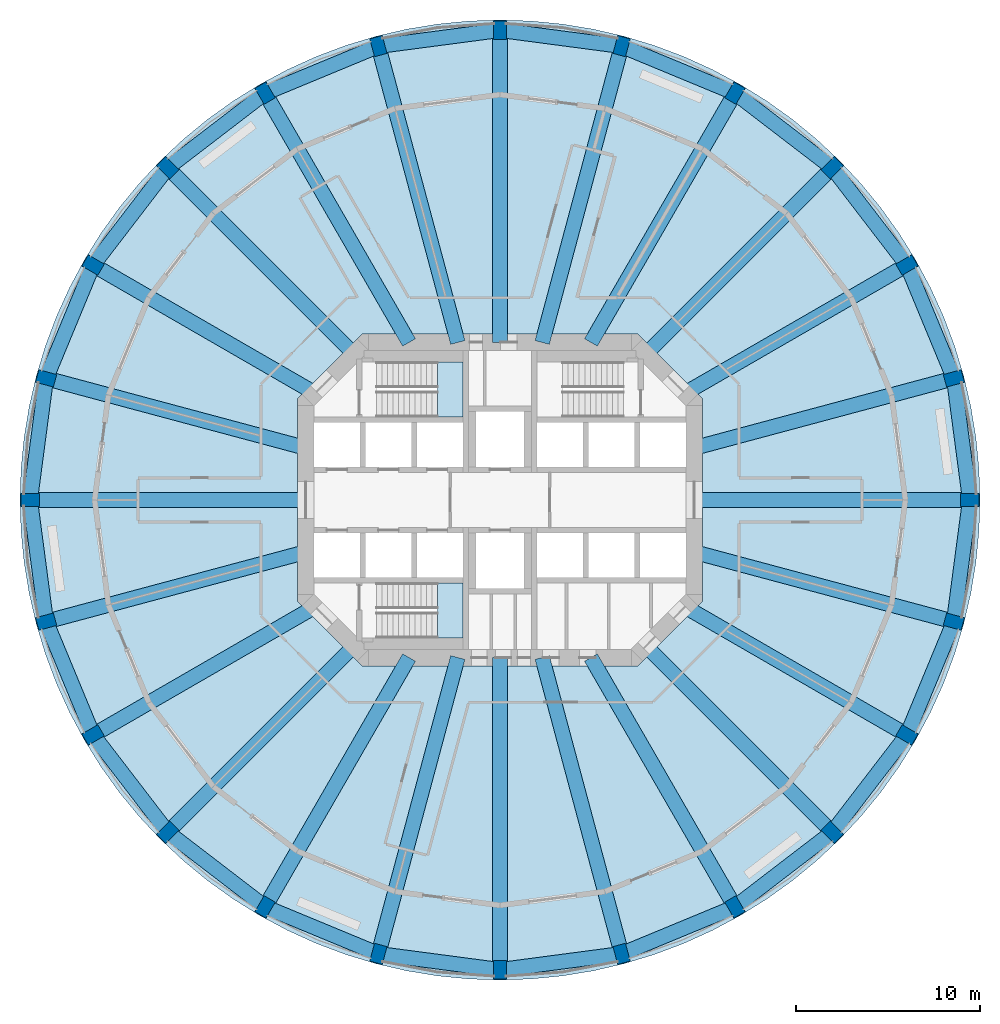
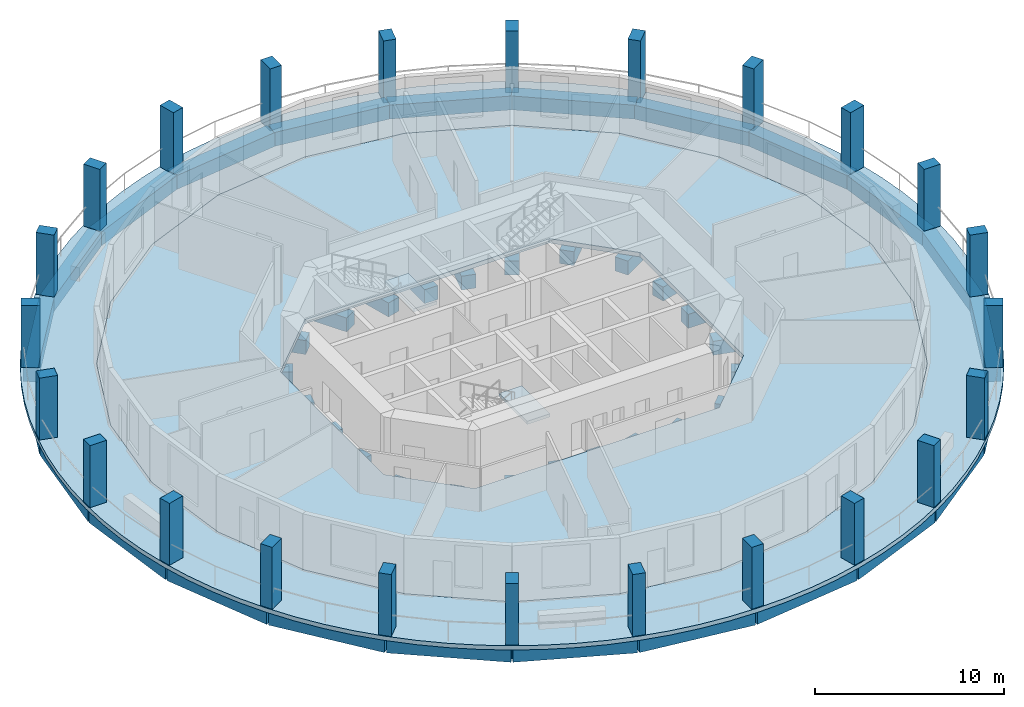
# One storey, part 1 of 9: 48 beams, 24 columns, 4 slabs, 2 elements without a shape of their own.
"""IFC4 building model written with IfcOpenShell, lengths in metres."""

from ifc_helpers import new_model, si_unit, direction, frame, origin, origin_2d, place, context, subcontext, project, spatial, polyline, rectangle, outline, extrude, material, layer, layer_set, material_profile, profile_set, type_object, element, aggregate, save


model = new_model("IFC4")

# Units and contexts
model_context = context("Model", 3, precision=1e-05, world=origin(), true_north=direction((0.0, 1.0)))
body_context = subcontext(model_context, "Body", "Model", "MODEL_VIEW")
ifc_project = project(units=[si_unit("LENGTHUNIT", "METRE"), si_unit("AREAUNIT", "SQUARE_METRE"), si_unit("VOLUMEUNIT", "CUBIC_METRE"), si_unit("PLANEANGLEUNIT", "RADIAN"), si_unit("MASSUNIT", "GRAM", prefix="KILO")], contexts=[model_context])

# Site, building, storey
site_placement = place(None, origin())
site = spatial("IfcSite", under=ifc_project, at=site_placement, CompositionType="ELEMENT")
building_placement = place(site_placement, origin())
building = spatial("IfcBuilding", under=site, at=building_placement, Name="Torre Triforio", CompositionType="ELEMENT")
storey_placement = place(building_placement, frame((0.0, 0.0, 102.60009765625)))
storey = spatial("IfcBuildingStorey", under=building, at=storey_placement, Name="L22", CompositionType="ELEMENT", Elevation=102.60009765625)

# Columns
ifc_material_1 = material(Name="Concrete C60", Category="concrete")
ifc_material_profile_1 = material_profile(ifc_material_1, rectangle(XDim=0.699951171875, YDim=1.0, at=origin_2d()), Name="RC 700x1000")
ifc_profile_set_1 = profile_set([ifc_material_profile_1], Name="Concrete C60")
column_type = type_object("IfcColumnType", Name="Pier RC 700x1000 C60", PredefinedType="COLUMN", material=ifc_profile_set_1)
for number, where, z_axis, x_axis, name in (
    (1, (25.5, 0.0, 0.0), (0.0, 0.0, 1.0), (0.0, 1.0, 0.0), "COL.R.L22.00"),
    (2, (24.631103515625, 6.599853515625, 0.0), (0.0, 0.0, 1.0), (-0.258819045103, 0.965925826289, 0.0), "COL.R.L22.01"),
    (3, (22.083740234375, 12.75, 0.0), (0.0, 0.0, 1.0), (-0.5, 0.866025403784, 0.0), "COL.R.L22.02"),
    (4, (18.03125, 18.03125, 0.0), (0.0, 0.0, 1.0), (-0.707106781187, 0.707106781187, 0.0), "COL.R.L22.03"),
    (5, (12.75, 22.083740234375, 0.0), (0.0, 0.0, 1.0), (-0.866025403784, 0.5, 0.0), "COL.R.L22.04"),
    (6, (6.599853515625, 24.631103515625, 0.0), (0.0, 0.0, 1.0), (-0.965925826289, 0.258819045103, 0.0), "COL.R.L22.05"),
    (7, (0.0, 25.5, 0.0), (0.0, 0.0, 1.0), (-1.0, 0.0, 0.0), "COL.R.L22.06"),
    (8, (-6.599853515625, 24.631103515625, 0.0), (0.0, 0.0, 1.0), (-0.965925826289, -0.258819045103, 0.0), "COL.R.L22.07"),
    (9, (-12.75, 22.083740234375, 0.0), (0.0, 0.0, 1.0), (-0.866025403784, -0.5, 0.0), "COL.R.L22.08"),
    (10, (-18.03125, 18.03125, 0.0), (0.0, 0.0, 1.0), (-0.707106781187, -0.707106781187, 0.0), "COL.R.L22.09"),
    (11, (-22.083740234375, 12.75, 0.0), (0.0, 0.0, 1.0), (-0.5, -0.866025403784, 0.0), "COL.R.L22.10"),
    (12, (-24.631103515625, 6.599853515625, 0.0), (0.0, 0.0, 1.0), (-0.258819045103, -0.965925826289, 0.0), "COL.R.L22.11"),
    (13, (-25.5, 0.0, 0.0), (0.0, 0.0, 1.0), (0.0, -1.0, 0.0), "COL.R.L22.12"),
    (14, (-24.631103515625, -6.599853515625, 0.0), (0.0, 0.0, 1.0), (0.258819045103, -0.965925826289, 0.0), "COL.R.L22.13"),
    (15, (-22.083740234375, -12.75, 0.0), (0.0, 0.0, 1.0), (0.5, -0.866025403784, 0.0), "COL.R.L22.14"),
    (16, (-18.03125, -18.03125, 0.0), (0.0, 0.0, 1.0), (0.707106781187, -0.707106781187, 0.0), "COL.R.L22.15"),
    (17, (-12.75, -22.083740234375, 0.0), (0.0, 0.0, 1.0), (0.866025403784, -0.5, 0.0), "COL.R.L22.16"),
    (18, (-6.599853515625, -24.631103515625, 0.0), (0.0, 0.0, 1.0), (0.965925826289, -0.258819045103, 0.0), "COL.R.L22.17"),
    (19, (0.0, -25.5, 0.0), (0.0, 0.0, 1.0), (1.0, 0.0, 0.0), "COL.R.L22.18"),
    (20, (6.599853515625, -24.631103515625, 0.0), (0.0, 0.0, 1.0), (0.965925826289, 0.258819045103, 0.0), "COL.R.L22.19"),
    (21, (12.75, -22.083740234375, 0.0), (0.0, 0.0, 1.0), (0.866025403784, 0.5, 0.0), "COL.R.L22.20"),
    (22, (18.03125, -18.03125, 0.0), (0.0, 0.0, 1.0), (0.707106781187, 0.707106781187, 0.0), "COL.R.L22.21"),
    (23, (22.083740234375, -12.75, 0.0), (0.0, 0.0, 1.0), (0.5, 0.866025403784, 0.0), "COL.R.L22.22"),
    (24, (24.631103515625, -6.599853515625, 0.0), (0.0, 0.0, 1.0), (0.258819045103, 0.965925826289, 0.0), "COL.R.L22.23"),
):
    element("IfcColumn", number, at=place(storey_placement, frame(where, z_axis=z_axis, x_axis=x_axis)), inside=storey, type_object=column_type, Name=name, PredefinedType="COLUMN", context=body_context, shape_type="SweptSolid", body=[
        extrude(rectangle(XDim=0.699951171875, YDim=1.0, at=origin_2d()), origin(), (0.0, 0.0, 1.0), 4.0),
    ])

# Beams
ifc_material_2 = material(Name="Concrete C50", Category="concrete")
ifc_material_profile_2 = material_profile(ifc_material_2, rectangle(XDim=0.800048828125, YDim=0.89990234375, at=origin_2d()), Name="RC 800x900")
ifc_profile_set_2 = profile_set([ifc_material_profile_2], Name="Concrete C50")
beam_type_1 = type_object("IfcBeamType", Name="Radial beam RC 800x900 C50", PredefinedType="BEAM", material=ifc_profile_set_2)
beam_1_placement = place(storey_placement, frame((10.550048828125, 0.0, -0.72998046875), z_axis=(1.0, 0.0, 0.0), x_axis=(0.0, 1.0, 0.0)))
element("IfcBeam", 25, at=beam_1_placement, inside=storey, type_object=beam_type_1, Name="BM.R.L22.00", PredefinedType="BEAM", context=body_context, shape_type="SweptSolid", body=[
    extrude(rectangle(XDim=0.800048828125, YDim=0.89990234375, at=origin_2d()), origin(), (0.0, 0.0, 1.0), 14.949951171875),
])
beam_2_placement = place(storey_placement, frame((10.550048828125, 2.826904296875, -0.72998046875), z_axis=(0.965926821176, 0.258815332104, 0.0), x_axis=(-0.258815332104, 0.965926821176, 0.0)))
element("IfcBeam", 26, at=beam_2_placement, inside=storey, type_object=beam_type_1, Name="BM.R.L22.01", PredefinedType="BEAM", context=body_context, shape_type="SweptSolid", body=[
    extrude(rectangle(XDim=0.800048828125, YDim=0.89990234375, at=origin_2d()), origin(), (0.0, 0.0, 1.0), 14.577880859375),
])
beam_3_placement = place(storey_placement, frame((10.039794921875, 5.796630859375, -0.72998046875), z_axis=(0.866031815519, 0.499988894385, 0.0), x_axis=(-0.499988894385, 0.866031815519, 0.0)))
element("IfcBeam", 27, at=beam_3_placement, inside=storey, type_object=beam_type_1, Name="BM.R.L22.02", PredefinedType="BEAM", context=body_context, shape_type="SweptSolid", body=[
    extrude(rectangle(XDim=0.800048828125, YDim=0.89990234375, at=origin_2d()), origin(), (0.0, 0.0, 1.0), 13.906982421875),
])
beam_4_placement = place(storey_placement, frame((7.918212890625, 7.918212890625, -0.72998046875), z_axis=(0.707106781187, 0.707106781187, 0.0), x_axis=(-0.707106781187, 0.707106781187, 0.0)))
element("IfcBeam", 28, at=beam_4_placement, inside=storey, type_object=beam_type_1, Name="BM.R.L22.03", PredefinedType="BEAM", context=body_context, shape_type="SweptSolid", body=[
    extrude(rectangle(XDim=0.800048828125, YDim=0.89990234375, at=origin_2d()), origin(), (0.0, 0.0, 1.0), 14.302001953125),
])
beam_5_placement = place(storey_placement, frame((4.936279296875, 8.550048828125, -0.72998046875), z_axis=(0.500001935381, 0.866024286389, 0.0), x_axis=(-0.866024286389, 0.500001935381, 0.0)))
element("IfcBeam", 29, at=beam_5_placement, inside=storey, type_object=beam_type_1, Name="BM.R.L22.04", PredefinedType="BEAM", context=body_context, shape_type="SweptSolid", body=[
    extrude(rectangle(XDim=0.800048828125, YDim=0.89990234375, at=origin_2d()), origin(), (0.0, 0.0, 1.0), 15.62744140625),
])
beam_6_placement = place(storey_placement, frame((2.291015625, 8.550048828125, -0.72998046875), z_axis=(0.25881524955, 0.965926843296, 0.0), x_axis=(-0.965926843296, 0.25881524955, 0.0)))
element("IfcBeam", 30, at=beam_6_placement, inside=storey, type_object=beam_type_1, Name="BM.R.L22.05", PredefinedType="BEAM", context=body_context, shape_type="SweptSolid", body=[
    extrude(rectangle(XDim=0.800048828125, YDim=0.89990234375, at=origin_2d()), origin(), (0.0, 0.0, 1.0), 16.648193359375),
])
beam_7_placement = place(storey_placement, frame((0.0, 8.550048828125, -0.72998046875), z_axis=(0.0, 1.0, 0.0), x_axis=(-1.0, 0.0, 0.0)))
element("IfcBeam", 31, at=beam_7_placement, inside=storey, type_object=beam_type_1, Name="BM.R.L22.06", PredefinedType="BEAM", context=body_context, shape_type="SweptSolid", body=[
    extrude(rectangle(XDim=0.800048828125, YDim=0.89990234375, at=origin_2d()), origin(), (0.0, 0.0, 1.0), 16.949951171875),
])
beam_8_placement = place(storey_placement, frame((-2.291015625, 8.550048828125, -0.72998046875), z_axis=(-0.25881524955, 0.965926843296, 0.0), x_axis=(-0.965926843296, -0.25881524955, 0.0)))
element("IfcBeam", 32, at=beam_8_placement, inside=storey, type_object=beam_type_1, Name="BM.R.L22.07", PredefinedType="BEAM", context=body_context, shape_type="SweptSolid", body=[
    extrude(rectangle(XDim=0.800048828125, YDim=0.89990234375, at=origin_2d()), origin(), (0.0, 0.0, 1.0), 16.648193359375),
])
beam_9_placement = place(storey_placement, frame((-4.936279296875, 8.550048828125, -0.72998046875), z_axis=(-0.500001935381, 0.866024286389, 0.0), x_axis=(-0.866024286389, -0.500001935381, 0.0)))
element("IfcBeam", 33, at=beam_9_placement, inside=storey, type_object=beam_type_1, Name="BM.R.L22.08", PredefinedType="BEAM", context=body_context, shape_type="SweptSolid", body=[
    extrude(rectangle(XDim=0.800048828125, YDim=0.89990234375, at=origin_2d()), origin(), (0.0, 0.0, 1.0), 15.62744140625),
])
beam_10_placement = place(storey_placement, frame((-7.918212890625, 7.918212890625, -0.72998046875), z_axis=(-0.707106781187, 0.707106781187, 0.0), x_axis=(-0.707106781187, -0.707106781187, 0.0)))
element("IfcBeam", 34, at=beam_10_placement, inside=storey, type_object=beam_type_1, Name="BM.R.L22.09", PredefinedType="BEAM", context=body_context, shape_type="SweptSolid", body=[
    extrude(rectangle(XDim=0.800048828125, YDim=0.89990234375, at=origin_2d()), origin(), (0.0, 0.0, 1.0), 14.302001953125),
])
beam_11_placement = place(storey_placement, frame((-10.039794921875, 5.796630859375, -0.72998046875), z_axis=(-0.866031815519, 0.499988894385, 0.0), x_axis=(-0.499988894385, -0.866031815519, 0.0)))
element("IfcBeam", 35, at=beam_11_placement, inside=storey, type_object=beam_type_1, Name="BM.R.L22.10", PredefinedType="BEAM", context=body_context, shape_type="SweptSolid", body=[
    extrude(rectangle(XDim=0.800048828125, YDim=0.89990234375, at=origin_2d()), origin(), (0.0, 0.0, 1.0), 13.906982421875),
])
beam_12_placement = place(storey_placement, frame((-10.550048828125, 2.826904296875, -0.72998046875), z_axis=(-0.965926821176, 0.258815332104, 0.0), x_axis=(-0.258815332104, -0.965926821176, 0.0)))
element("IfcBeam", 36, at=beam_12_placement, inside=storey, type_object=beam_type_1, Name="BM.R.L22.11", PredefinedType="BEAM", context=body_context, shape_type="SweptSolid", body=[
    extrude(rectangle(XDim=0.800048828125, YDim=0.89990234375, at=origin_2d()), origin(), (0.0, 0.0, 1.0), 14.577880859375),
])
beam_13_placement = place(storey_placement, frame((-10.550048828125, 0.0, -0.72998046875), z_axis=(-1.0, 0.0, 0.0), x_axis=(0.0, -1.0, 0.0)))
element("IfcBeam", 37, at=beam_13_placement, inside=storey, type_object=beam_type_1, Name="BM.R.L22.12", PredefinedType="BEAM", context=body_context, shape_type="SweptSolid", body=[
    extrude(rectangle(XDim=0.800048828125, YDim=0.89990234375, at=origin_2d()), origin(), (0.0, 0.0, 1.0), 14.949951171875),
])
beam_14_placement = place(storey_placement, frame((-10.550048828125, -2.826904296875, -0.72998046875), z_axis=(-0.965926821176, -0.258815332104, 0.0), x_axis=(0.258815332104, -0.965926821176, 0.0)))
element("IfcBeam", 38, at=beam_14_placement, inside=storey, type_object=beam_type_1, Name="BM.R.L22.13", PredefinedType="BEAM", context=body_context, shape_type="SweptSolid", body=[
    extrude(rectangle(XDim=0.800048828125, YDim=0.89990234375, at=origin_2d()), origin(), (0.0, 0.0, 1.0), 14.577880859375),
])
beam_15_placement = place(storey_placement, frame((-10.039794921875, -5.796630859375, -0.72998046875), z_axis=(-0.866031815519, -0.499988894385, 0.0), x_axis=(0.499988894385, -0.866031815519, 0.0)))
element("IfcBeam", 39, at=beam_15_placement, inside=storey, type_object=beam_type_1, Name="BM.R.L22.14", PredefinedType="BEAM", context=body_context, shape_type="SweptSolid", body=[
    extrude(rectangle(XDim=0.800048828125, YDim=0.89990234375, at=origin_2d()), origin(), (0.0, 0.0, 1.0), 13.906982421875),
])
beam_16_placement = place(storey_placement, frame((-7.918212890625, -7.918212890625, -0.72998046875), z_axis=(-0.707106781187, -0.707106781187, 0.0), x_axis=(0.707106781187, -0.707106781187, 0.0)))
element("IfcBeam", 40, at=beam_16_placement, inside=storey, type_object=beam_type_1, Name="BM.R.L22.15", PredefinedType="BEAM", context=body_context, shape_type="SweptSolid", body=[
    extrude(rectangle(XDim=0.800048828125, YDim=0.89990234375, at=origin_2d()), origin(), (0.0, 0.0, 1.0), 14.302001953125),
])
beam_17_placement = place(storey_placement, frame((-4.936279296875, -8.550048828125, -0.72998046875), z_axis=(-0.500001935381, -0.866024286389, 0.0), x_axis=(0.866024286389, -0.500001935381, 0.0)))
element("IfcBeam", 41, at=beam_17_placement, inside=storey, type_object=beam_type_1, Name="BM.R.L22.16", PredefinedType="BEAM", context=body_context, shape_type="SweptSolid", body=[
    extrude(rectangle(XDim=0.800048828125, YDim=0.89990234375, at=origin_2d()), origin(), (0.0, 0.0, 1.0), 15.62744140625),
])
beam_18_placement = place(storey_placement, frame((-2.291015625, -8.550048828125, -0.72998046875), z_axis=(-0.25881524955, -0.965926843296, 0.0), x_axis=(0.965926843296, -0.25881524955, 0.0)))
element("IfcBeam", 42, at=beam_18_placement, inside=storey, type_object=beam_type_1, Name="BM.R.L22.17", PredefinedType="BEAM", context=body_context, shape_type="SweptSolid", body=[
    extrude(rectangle(XDim=0.800048828125, YDim=0.89990234375, at=origin_2d()), origin(), (0.0, 0.0, 1.0), 16.648193359375),
])
beam_19_placement = place(storey_placement, frame((0.0, -8.550048828125, -0.72998046875), z_axis=(0.0, -1.0, 0.0), x_axis=(1.0, 0.0, 0.0)))
element("IfcBeam", 43, at=beam_19_placement, inside=storey, type_object=beam_type_1, Name="BM.R.L22.18", PredefinedType="BEAM", context=body_context, shape_type="SweptSolid", body=[
    extrude(rectangle(XDim=0.800048828125, YDim=0.89990234375, at=origin_2d()), origin(), (0.0, 0.0, 1.0), 16.949951171875),
])
beam_20_placement = place(storey_placement, frame((2.291015625, -8.550048828125, -0.72998046875), z_axis=(0.25881524955, -0.965926843296, 0.0), x_axis=(0.965926843296, 0.25881524955, 0.0)))
element("IfcBeam", 44, at=beam_20_placement, inside=storey, type_object=beam_type_1, Name="BM.R.L22.19", PredefinedType="BEAM", context=body_context, shape_type="SweptSolid", body=[
    extrude(rectangle(XDim=0.800048828125, YDim=0.89990234375, at=origin_2d()), origin(), (0.0, 0.0, 1.0), 16.648193359375),
])
beam_21_placement = place(storey_placement, frame((4.936279296875, -8.550048828125, -0.72998046875), z_axis=(0.500001935381, -0.866024286389, 0.0), x_axis=(0.866024286389, 0.500001935381, 0.0)))
element("IfcBeam", 45, at=beam_21_placement, inside=storey, type_object=beam_type_1, Name="BM.R.L22.20", PredefinedType="BEAM", context=body_context, shape_type="SweptSolid", body=[
    extrude(rectangle(XDim=0.800048828125, YDim=0.89990234375, at=origin_2d()), origin(), (0.0, 0.0, 1.0), 15.62744140625),
])
beam_22_placement = place(storey_placement, frame((7.918212890625, -7.918212890625, -0.72998046875), z_axis=(0.707106781187, -0.707106781187, 0.0), x_axis=(0.707106781187, 0.707106781187, 0.0)))
element("IfcBeam", 46, at=beam_22_placement, inside=storey, type_object=beam_type_1, Name="BM.R.L22.21", PredefinedType="BEAM", context=body_context, shape_type="SweptSolid", body=[
    extrude(rectangle(XDim=0.800048828125, YDim=0.89990234375, at=origin_2d()), origin(), (0.0, 0.0, 1.0), 14.302001953125),
])
beam_23_placement = place(storey_placement, frame((10.039794921875, -5.796630859375, -0.72998046875), z_axis=(0.866031815519, -0.499988894385, 0.0), x_axis=(0.499988894385, 0.866031815519, 0.0)))
element("IfcBeam", 47, at=beam_23_placement, inside=storey, type_object=beam_type_1, Name="BM.R.L22.22", PredefinedType="BEAM", context=body_context, shape_type="SweptSolid", body=[
    extrude(rectangle(XDim=0.800048828125, YDim=0.89990234375, at=origin_2d()), origin(), (0.0, 0.0, 1.0), 13.906982421875),
])
beam_24_placement = place(storey_placement, frame((10.550048828125, -2.826904296875, -0.72998046875), z_axis=(0.965926821176, -0.258815332104, 0.0), x_axis=(0.258815332104, 0.965926821176, 0.0)))
element("IfcBeam", 48, at=beam_24_placement, inside=storey, type_object=beam_type_1, Name="BM.R.L22.23", PredefinedType="BEAM", context=body_context, shape_type="SweptSolid", body=[
    extrude(rectangle(XDim=0.800048828125, YDim=0.89990234375, at=origin_2d()), origin(), (0.0, 0.0, 1.0), 14.577880859375),
])
ifc_material_profile_3 = material_profile(ifc_material_2, rectangle(XDim=0.800048828125, YDim=0.89990234375, at=origin_2d()), Name="RC 800x900")
ifc_profile_set_3 = profile_set([ifc_material_profile_3], Name="Concrete C50")
beam_type_2 = type_object("IfcBeamType", Name="Spandrel beam RC 800x900 C50", PredefinedType="SPANDREL", material=ifc_profile_set_3)
for number, where, z_axis, x_axis, name in (
    (49, (25.5, 0.0, -0.72998046875), (-0.130527563319, 0.991444680864, 0.0), (-0.991444680864, -0.130527563319, 0.0), "BM.S.L22.00"),
    (50, (24.631103515625, 6.599853515625, -0.72998046875), (-0.382669224891, 0.923885417312, 0.0), (-0.923885417312, -0.382669224891, 0.0), "BM.S.L22.01"),
):
    element("IfcBeam", number, at=place(storey_placement, frame(where, z_axis=z_axis, x_axis=x_axis)), inside=storey, type_object=beam_type_2, Name=name, PredefinedType="SPANDREL", context=body_context, shape_type="SweptSolid", body=[
        extrude(rectangle(XDim=0.800048828125, YDim=0.89990234375, at=origin_2d()), origin(), (0.0, 0.0, 1.0), 6.65673828125),
    ])
for number, where, z_axis, x_axis, name in (
    (51, (22.083740234375, 12.75, -0.72998046875), (-0.608765643954, 0.793350106032, 0.0), (-0.793350106032, -0.608765643954, 0.0), "BM.S.L22.02"),
    (52, (18.03125, 18.03125, -0.72998046875), (-0.793350106032, 0.608765643954, 0.0), (-0.608765643954, -0.793350106032, 0.0), "BM.S.L22.03"),
):
    element("IfcBeam", number, at=place(storey_placement, frame(where, z_axis=z_axis, x_axis=x_axis)), inside=storey, type_object=beam_type_2, Name=name, PredefinedType="SPANDREL", context=body_context, shape_type="SweptSolid", body=[
        extrude(rectangle(XDim=0.800048828125, YDim=0.89990234375, at=origin_2d()), origin(), (0.0, 0.0, 1.0), 6.656982421875),
    ])
for number, where, z_axis, x_axis, name in (
    (53, (12.75, 22.083740234375, -0.72998046875), (-0.923885417312, 0.382669224891, 0.0), (-0.382669224891, -0.923885417312, 0.0), "BM.S.L22.04"),
    (54, (6.599853515625, 24.631103515625, -0.72998046875), (-0.991444680864, 0.130527563319, 0.0), (-0.130527563319, -0.991444680864, 0.0), "BM.S.L22.05"),
    (55, (0.0, 25.5, -0.72998046875), (-0.991444680864, -0.130527563319, 0.0), (0.130527563319, -0.991444680864, 0.0), "BM.S.L22.06"),
    (56, (-6.599853515625, 24.631103515625, -0.72998046875), (-0.923885417312, -0.382669224891, 0.0), (0.382669224891, -0.923885417312, 0.0), "BM.S.L22.07"),
):
    element("IfcBeam", number, at=place(storey_placement, frame(where, z_axis=z_axis, x_axis=x_axis)), inside=storey, type_object=beam_type_2, Name=name, PredefinedType="SPANDREL", context=body_context, shape_type="SweptSolid", body=[
        extrude(rectangle(XDim=0.800048828125, YDim=0.89990234375, at=origin_2d()), origin(), (0.0, 0.0, 1.0), 6.65673828125),
    ])
for number, where, z_axis, x_axis, name in (
    (57, (-12.75, 22.083740234375, -0.72998046875), (-0.793350106032, -0.608765643954, 0.0), (0.608765643954, -0.793350106032, 0.0), "BM.S.L22.08"),
    (58, (-18.03125, 18.03125, -0.72998046875), (-0.608765643954, -0.793350106032, 0.0), (0.793350106032, -0.608765643954, 0.0), "BM.S.L22.09"),
):
    element("IfcBeam", number, at=place(storey_placement, frame(where, z_axis=z_axis, x_axis=x_axis)), inside=storey, type_object=beam_type_2, Name=name, PredefinedType="SPANDREL", context=body_context, shape_type="SweptSolid", body=[
        extrude(rectangle(XDim=0.800048828125, YDim=0.89990234375, at=origin_2d()), origin(), (0.0, 0.0, 1.0), 6.656982421875),
    ])
for number, where, z_axis, x_axis, name in (
    (59, (-22.083740234375, 12.75, -0.72998046875), (-0.382669224891, -0.923885417312, 0.0), (0.923885417312, -0.382669224891, 0.0), "BM.S.L22.10"),
    (60, (-24.631103515625, 6.599853515625, -0.72998046875), (-0.130527563319, -0.991444680864, 0.0), (0.991444680864, -0.130527563319, 0.0), "BM.S.L22.11"),
    (61, (-25.5, 0.0, -0.72998046875), (0.130527563319, -0.991444680864, 0.0), (0.991444680864, 0.130527563319, 0.0), "BM.S.L22.12"),
    (62, (-24.631103515625, -6.599853515625, -0.72998046875), (0.382669224891, -0.923885417312, 0.0), (0.923885417312, 0.382669224891, 0.0), "BM.S.L22.13"),
):
    element("IfcBeam", number, at=place(storey_placement, frame(where, z_axis=z_axis, x_axis=x_axis)), inside=storey, type_object=beam_type_2, Name=name, PredefinedType="SPANDREL", context=body_context, shape_type="SweptSolid", body=[
        extrude(rectangle(XDim=0.800048828125, YDim=0.89990234375, at=origin_2d()), origin(), (0.0, 0.0, 1.0), 6.65673828125),
    ])
for number, where, z_axis, x_axis, name in (
    (63, (-22.083740234375, -12.75, -0.72998046875), (0.608765643954, -0.793350106032, 0.0), (0.793350106032, 0.608765643954, 0.0), "BM.S.L22.14"),
    (64, (-18.03125, -18.03125, -0.72998046875), (0.793350106032, -0.608765643954, 0.0), (0.608765643954, 0.793350106032, 0.0), "BM.S.L22.15"),
):
    element("IfcBeam", number, at=place(storey_placement, frame(where, z_axis=z_axis, x_axis=x_axis)), inside=storey, type_object=beam_type_2, Name=name, PredefinedType="SPANDREL", context=body_context, shape_type="SweptSolid", body=[
        extrude(rectangle(XDim=0.800048828125, YDim=0.89990234375, at=origin_2d()), origin(), (0.0, 0.0, 1.0), 6.656982421875),
    ])
for number, where, z_axis, x_axis, name in (
    (65, (-12.75, -22.083740234375, -0.72998046875), (0.923885417312, -0.382669224891, 0.0), (0.382669224891, 0.923885417312, 0.0), "BM.S.L22.16"),
    (66, (-6.599853515625, -24.631103515625, -0.72998046875), (0.991444680864, -0.130527563319, 0.0), (0.130527563319, 0.991444680864, 0.0), "BM.S.L22.17"),
    (67, (0.0, -25.5, -0.72998046875), (0.991444680864, 0.130527563319, 0.0), (-0.130527563319, 0.991444680864, 0.0), "BM.S.L22.18"),
    (68, (6.599853515625, -24.631103515625, -0.72998046875), (0.923885417312, 0.382669224891, 0.0), (-0.382669224891, 0.923885417312, 0.0), "BM.S.L22.19"),
):
    element("IfcBeam", number, at=place(storey_placement, frame(where, z_axis=z_axis, x_axis=x_axis)), inside=storey, type_object=beam_type_2, Name=name, PredefinedType="SPANDREL", context=body_context, shape_type="SweptSolid", body=[
        extrude(rectangle(XDim=0.800048828125, YDim=0.89990234375, at=origin_2d()), origin(), (0.0, 0.0, 1.0), 6.65673828125),
    ])
for number, where, z_axis, x_axis, name in (
    (69, (12.75, -22.083740234375, -0.72998046875), (0.793350106032, 0.608765643954, 0.0), (-0.608765643954, 0.793350106032, 0.0), "BM.S.L22.20"),
    (70, (18.03125, -18.03125, -0.72998046875), (0.608765643954, 0.793350106032, 0.0), (-0.793350106032, 0.608765643954, 0.0), "BM.S.L22.21"),
):
    element("IfcBeam", number, at=place(storey_placement, frame(where, z_axis=z_axis, x_axis=x_axis)), inside=storey, type_object=beam_type_2, Name=name, PredefinedType="SPANDREL", context=body_context, shape_type="SweptSolid", body=[
        extrude(rectangle(XDim=0.800048828125, YDim=0.89990234375, at=origin_2d()), origin(), (0.0, 0.0, 1.0), 6.656982421875),
    ])
for number, where, z_axis, x_axis, name in (
    (71, (22.083740234375, -12.75, -0.72998046875), (0.382669224891, 0.923885417312, 0.0), (-0.923885417312, 0.382669224891, 0.0), "BM.S.L22.22"),
    (72, (24.631103515625, -6.599853515625, -0.72998046875), (0.130527563319, 0.991444680864, 0.0), (-0.991444680864, 0.130527563319, 0.0), "BM.S.L22.23"),
):
    element("IfcBeam", number, at=place(storey_placement, frame(where, z_axis=z_axis, x_axis=x_axis)), inside=storey, type_object=beam_type_2, Name=name, PredefinedType="SPANDREL", context=body_context, shape_type="SweptSolid", body=[
        extrude(rectangle(XDim=0.800048828125, YDim=0.89990234375, at=origin_2d()), origin(), (0.0, 0.0, 1.0), 6.65673828125),
    ])

# Slabs
ifc_layer_1 = layer(ifc_material_2, 0.280029296875)
ifc_layer_set_1 = layer_set([ifc_layer_1], Name="Concrete C50")
slab_type_1 = type_object("IfcSlabType", Name="Floor slab 280 C50", PredefinedType="FLOOR", material=ifc_layer_set_1)
slab_1_placement = place(storey_placement, frame((0.0, 0.0, -0.280029296875)))
element("IfcSlab", 73, at=slab_1_placement, inside=storey, type_object=slab_type_1, Name="SL.L22", PredefinedType="FLOOR", context=body_context, shape_type="SweptSolid", body=[
    extrude(outline(polyline([(19.052490234375, -11.0), (21.25048828125, -5.694091796875), (22.0, 0.0), (21.25048828125, 5.694091796875), (19.052490234375, 11.0), (15.556396484375, 15.556396484375), (11.0, 19.052490234375), (5.694091796875, 21.25048828125), (0.0, 22.0), (-5.694091796875, 21.25048828125), (-11.0, 19.052490234375), (-15.556396484375, 15.556396484375), (-19.052490234375, 11.0), (-21.25048828125, 5.694091796875), (-22.0, 0.0), (-21.25048828125, -5.694091796875), (-19.052490234375, -11.0), (-15.556396484375, -15.556396484375), (-11.0, -19.052490234375), (-5.694091796875, -21.25048828125), (0.0, -22.0), (5.694091796875, -21.25048828125), (11.0, -19.052490234375), (15.556396484375, -15.556396484375), (19.052490234375, -11.0)]), holes=[polyline([(11.0, 5.472900390625), (11.0, -5.472900390625), (7.472900390625, -9.0), (-7.472900390625, -9.0), (-11.0, -5.472900390625), (-11.0, 5.472900390625), (-7.472900390625, 9.0), (7.472900390625, 9.0), (11.0, 5.472900390625)])]), origin(), (0.0, 0.0, 1.0), 0.280029296875),
])
ifc_layer_2 = layer(ifc_material_2, 0.280029296875)
ifc_layer_set_2 = layer_set([ifc_layer_2], Name="Concrete C50")
slab_type_2 = type_object("IfcSlabType", Name="Loggia slab 280 C50", PredefinedType="FLOOR", material=ifc_layer_set_2)
slab_2_placement = place(storey_placement, frame((0.0, 0.0, -0.280029296875)))
element("IfcSlab", 74, at=slab_2_placement, inside=storey, type_object=slab_type_2, Name="SL.L22.LG", PredefinedType="FLOOR", context=body_context, shape_type="SweptSolid", body=[
    extrude(outline(polyline([(25.994140625, -1.703857421875), (26.050048828125, 0.0), (25.994140625, 1.703857421875), (25.8271484375, 3.400146484375), (25.549560546875, 5.08203125), (25.162353515625, 6.7421875), (24.66748046875, 8.37353515625), (24.067138671875, 9.968994140625), (23.363525390625, 11.521728515625), (22.56005859375, 13.02490234375), (21.65966796875, 14.47265625), (20.666748046875, 15.858154296875), (19.58544921875, 17.176025390625), (18.420166015625, 18.420166015625), (17.176025390625, 19.58544921875), (15.858154296875, 20.666748046875), (14.47265625, 21.65966796875), (13.02490234375, 22.56005859375), (11.521728515625, 23.363525390625), (9.968994140625, 24.067138671875), (8.37353515625, 24.66748046875), (6.7421875, 25.162353515625), (5.08203125, 25.549560546875), (3.400146484375, 25.8271484375), (1.703857421875, 25.994140625), (0.0, 26.050048828125), (-1.703857421875, 25.994140625), (-3.400146484375, 25.8271484375), (-5.08203125, 25.549560546875), (-6.7421875, 25.162353515625), (-8.37353515625, 24.66748046875), (-9.968994140625, 24.067138671875), (-11.521728515625, 23.363525390625), (-13.02490234375, 22.56005859375), (-14.47265625, 21.65966796875), (-15.858154296875, 20.666748046875), (-17.176025390625, 19.58544921875), (-18.420166015625, 18.420166015625), (-19.58544921875, 17.176025390625), (-20.666748046875, 15.858154296875), (-21.65966796875, 14.47265625), (-22.56005859375, 13.02490234375), (-23.363525390625, 11.521728515625), (-24.067138671875, 9.968994140625), (-24.66748046875, 8.37353515625), (-25.162353515625, 6.7421875), (-25.549560546875, 5.08203125), (-25.8271484375, 3.400146484375), (-25.994140625, 1.703857421875), (-26.050048828125, 0.0), (-25.994140625, -1.703857421875), (-25.8271484375, -3.400146484375), (-25.549560546875, -5.08203125), (-25.162353515625, -6.7421875), (-24.66748046875, -8.37353515625), (-24.067138671875, -9.968994140625), (-23.363525390625, -11.521728515625), (-22.56005859375, -13.02490234375), (-21.65966796875, -14.47265625), (-20.666748046875, -15.858154296875), (-19.58544921875, -17.176025390625), (-18.420166015625, -18.420166015625), (-17.176025390625, -19.58544921875), (-15.858154296875, -20.666748046875), (-14.47265625, -21.65966796875), (-13.02490234375, -22.56005859375), (-11.521728515625, -23.363525390625), (-9.968994140625, -24.067138671875), (-8.37353515625, -24.66748046875), (-6.7421875, -25.162353515625), (-5.08203125, -25.549560546875), (-3.400146484375, -25.8271484375), (-1.703857421875, -25.994140625), (0.0, -26.050048828125), (1.703857421875, -25.994140625), (3.400146484375, -25.8271484375), (5.08203125, -25.549560546875), (6.7421875, -25.162353515625), (8.37353515625, -24.66748046875), (9.968994140625, -24.067138671875), (11.521728515625, -23.363525390625), (13.02490234375, -22.56005859375), (14.47265625, -21.65966796875), (15.858154296875, -20.666748046875), (17.176025390625, -19.58544921875), (18.420166015625, -18.420166015625), (19.58544921875, -17.176025390625), (20.666748046875, -15.858154296875), (21.65966796875, -14.47265625), (22.56005859375, -13.02490234375), (23.363525390625, -11.521728515625), (24.067138671875, -9.968994140625), (24.66748046875, -8.37353515625), (25.162353515625, -6.7421875), (25.549560546875, -5.08203125), (25.8271484375, -3.400146484375), (25.994140625, -1.703857421875)]), holes=[polyline([(21.25048828125, 5.694091796875), (22.0, 0.0), (21.25048828125, -5.694091796875), (19.052490234375, -11.0), (15.556396484375, -15.556396484375), (11.0, -19.052490234375), (5.694091796875, -21.25048828125), (0.0, -22.0), (-5.694091796875, -21.25048828125), (-11.0, -19.052490234375), (-15.556396484375, -15.556396484375), (-19.052490234375, -11.0), (-21.25048828125, -5.694091796875), (-22.0, 0.0), (-21.25048828125, 5.694091796875), (-19.052490234375, 11.0), (-15.556396484375, 15.556396484375), (-11.0, 19.052490234375), (-5.694091796875, 21.25048828125), (0.0, 22.0), (5.694091796875, 21.25048828125), (11.0, 19.052490234375), (15.556396484375, 15.556396484375), (19.052490234375, 11.0), (21.25048828125, 5.694091796875)])]), origin(), (0.0, 0.0, 1.0), 0.280029296875),
])

# Stair, slab
ifc_material_3 = material(Name="Concrete C40", Category="concrete")
stair_type = type_object("IfcStairType", Name="STAIR HALF-TURN", PredefinedType="HALF_TURN_STAIR", material=ifc_material_3)
stair_1_placement = place(storey_placement, origin())
stair_1 = element("IfcStair", 75, at=stair_1_placement, inside=storey, type_object=stair_type, Name="Exit stair 1", PredefinedType="HALF_TURN_STAIR")
ifc_layer_3 = layer(ifc_material_3, 0.199951171875)
ifc_layer_set_3 = layer_set([ifc_layer_3], Name="Concrete C40")
slab_type_3 = type_object("IfcSlabType", Name="STAIR LANDING 200", PredefinedType="LANDING", material=ifc_layer_set_3)
slab_3_placement = place(storey_placement, frame((0.0, 0.0, 1.7998046875)))
slab_3 = element("IfcSlab", 76, at=slab_3_placement, type_object=slab_type_3, Name="ST1 landing 1", PredefinedType="LANDING", context=body_context, shape_type="SweptSolid", body=[
    extrude(outline(polyline([(-2.0, 4.5), (-2.0, 7.5), (-3.39990234375, 7.5), (-3.39990234375, 4.5), (-2.0, 4.5)])), origin(), (0.0, 0.0, 1.0), 0.2001953125),
])
aggregate(stair_1, [slab_3])

stair_2_placement = place(storey_placement, origin())
stair_2 = element("IfcStair", 77, at=stair_2_placement, inside=storey, type_object=stair_type, Name="Exit stair 3", PredefinedType="HALF_TURN_STAIR")
slab_4_placement = place(storey_placement, frame((0.0, 0.0, 1.7998046875)))
slab_4 = element("IfcSlab", 78, at=slab_4_placement, type_object=slab_type_3, Name="ST3 landing 1", PredefinedType="LANDING", context=body_context, shape_type="SweptSolid", body=[
    extrude(outline(polyline([(-2.0, -7.5), (-2.0, -4.5), (-3.39990234375, -4.5), (-3.39990234375, -7.5), (-2.0, -7.5)])), origin(), (0.0, 0.0, 1.0), 0.2001953125),
])
aggregate(stair_2, [slab_4])

save(model, "model.ifc")
